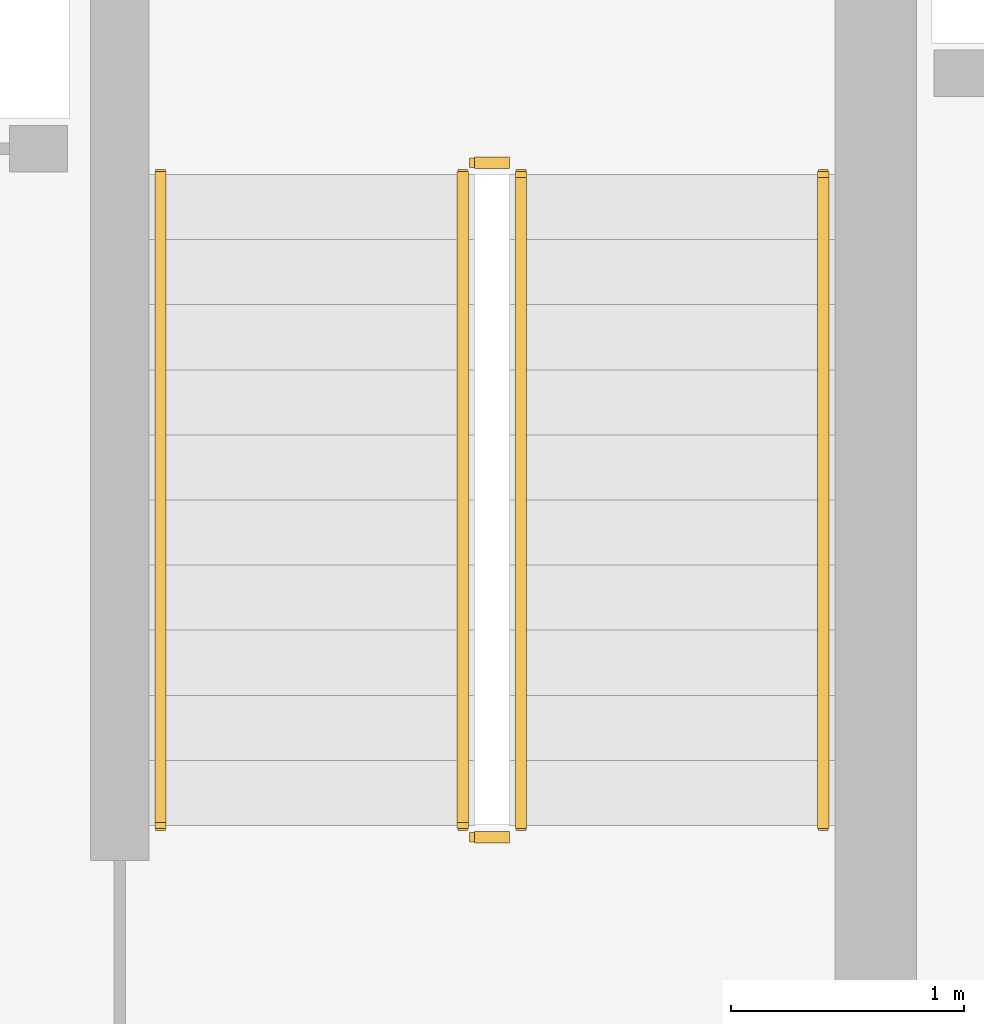
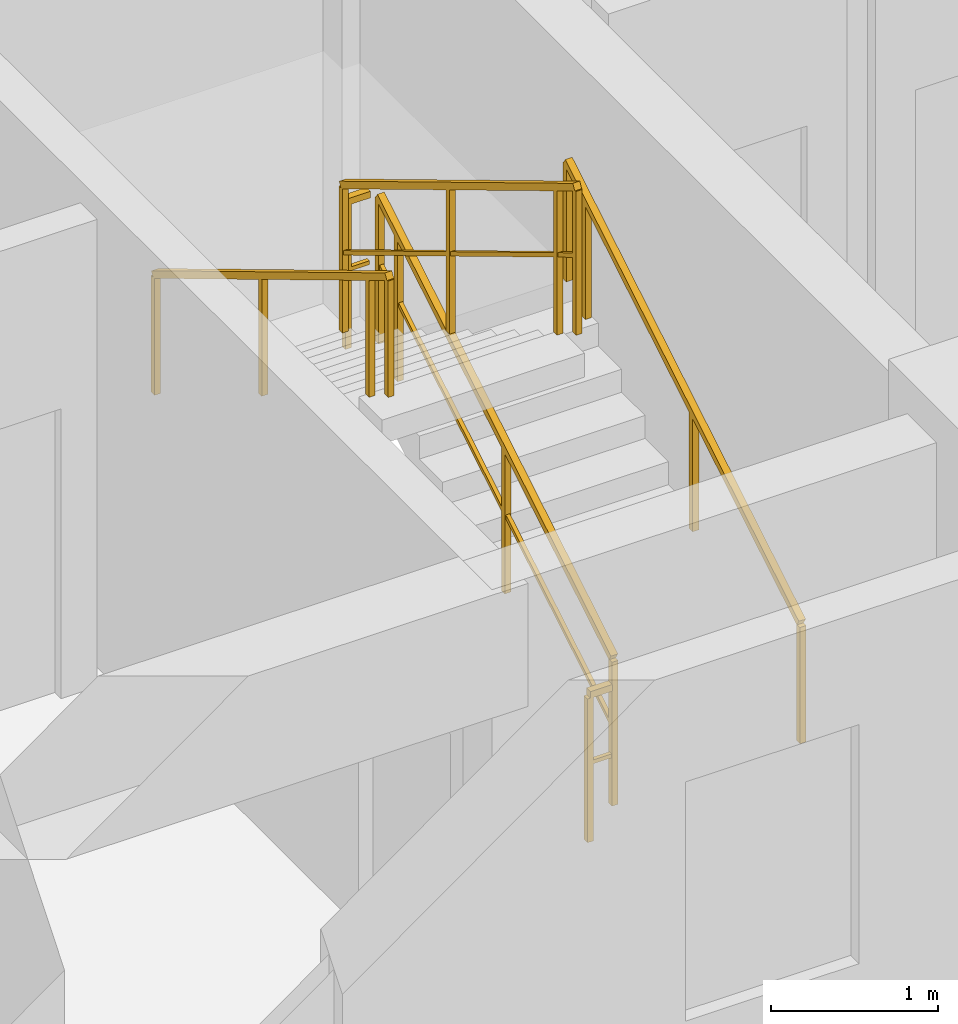
# One storey, part 23 of 24: 6 railings.
"""IFC4 building model written with IfcOpenShell, lengths in metres."""

from ifc_helpers import new_model, si_unit, direction, frame, origin, origin_2d, place, context, subcontext, project, spatial, rectangle, extrude, material, type_object, element, save


model = new_model("IFC4")

# Units and contexts
model_context = context("Model", 3, precision=1e-05, world=origin(), true_north=direction((0.0, 1.0)))
body_context = subcontext(model_context, "Body", "Model", "MODEL_VIEW")
ifc_project = project(units=[si_unit("LENGTHUNIT", "METRE"), si_unit("AREAUNIT", "SQUARE_METRE"), si_unit("VOLUMEUNIT", "CUBIC_METRE"), si_unit("PLANEANGLEUNIT", "RADIAN"), si_unit("MASSUNIT", "GRAM", prefix="KILO")], contexts=[model_context])

# Site, building, storey
site_placement = place(None, origin())
site = spatial("IfcSite", under=ifc_project, at=site_placement, CompositionType="ELEMENT")
building_placement = place(site_placement, origin())
building = spatial("IfcBuilding", under=site, at=building_placement, Name="Kaliganga Portal Commons", CompositionType="ELEMENT")
storey_placement = place(building_placement, frame((0.0, 0.0, 238.800048828125)))
storey = spatial("IfcBuildingStorey", under=building, at=storey_placement, Name="L61", CompositionType="ELEMENT", Elevation=238.800048828125)

# Railings
ifc_material_1 = material(Name="Galvanized Painted Steel Balustrade", Category="steel")
railing_type_1 = type_object("IfcRailingType", Name="RLG-STAIR-GRD", PredefinedType="GUARDRAIL", material=ifc_material_1)
railing_1_placement = place(storey_placement, frame((48.699951171875, 8.699951171875, 0.168212890625)))
element("IfcRailing", 1, at=railing_1_placement, inside=storey, type_object=railing_type_1, Name="L61 ST-B2 stair guard 1", PredefinedType="GUARDRAIL", context=body_context, shape_type="SweptSolid", body=[
    extrude(rectangle(XDim=0.048095703125, YDim=0.048095703125, at=origin_2d()), frame((0.0, 0.0, 1.072021484375), z_axis=(0.0, 0.857275202839, 0.514858452973), x_axis=(-1.0, 0.0, 0.0)), (0.0, 0.0, 1.0), 3.26611328125),
    extrude(rectangle(XDim=0.028076171875, YDim=0.028076171875, at=origin_2d()), frame((0.0, 0.0, 0.572021484375), z_axis=(0.0, 0.857275202839, 0.514858452973), x_axis=(-1.0, 0.0, 0.0)), (0.0, 0.0, 1.0), 3.26611328125),
    extrude(rectangle(XDim=0.0419921875, YDim=0.0419921875, at=origin_2d()), origin(), (0.0, 0.0, 1.0), 1.052001953125),
    extrude(rectangle(XDim=0.0419921875, YDim=0.0419921875, at=origin_2d()), frame((0.0, 1.285888671875, 0.772216796875)), (0.0, 0.0, 1.0), 1.052001953125),
    extrude(rectangle(XDim=0.0419921875, YDim=0.0419921875, at=origin_2d()), frame((0.0, 2.57177734375, 1.544677734375)), (0.0, 0.0, 1.0), 1.052001953125),
    extrude(rectangle(XDim=0.0419921875, YDim=0.0419921875, at=origin_2d()), frame((0.0, 2.800048828125, 1.681640625)), (0.0, 0.0, 1.0), 1.052001953125),
])
railing_2_placement = place(storey_placement, frame((48.64990234375, 11.550048828125, 1.849853515625)))
element("IfcRailing", 2, at=railing_2_placement, inside=storey, type_object=railing_type_1, Name="L61 ST-B2 stair guard 2", PredefinedType="GUARDRAIL", context=body_context, shape_type="SweptSolid", body=[
    extrude(rectangle(XDim=0.048095703125, YDim=0.048095703125, at=origin_2d()), frame((0.0, 0.0, 1.076171875), z_axis=(-1.0, 0.0, 0.0), x_axis=(0.0, -1.0, 0.0)), (0.0, 0.0, 1.0), 0.14990234375),
    extrude(rectangle(XDim=0.028076171875, YDim=0.028076171875, at=origin_2d()), frame((0.0, 0.0, 0.572021484375), z_axis=(-1.0, 0.0, 0.0), x_axis=(0.0, -1.0, 0.0)), (0.0, 0.0, 1.0), 0.14990234375),
    extrude(rectangle(XDim=0.0419921875, YDim=0.0419921875, at=origin_2d()), frame((-0.14990234375, 0.0, 0.0)), (0.0, 0.0, 1.0), 1.052001953125),
])
railing_3_placement = place(storey_placement, frame((48.449951171875, 11.5, 2.01806640625)))
element("IfcRailing", 3, at=railing_3_placement, inside=storey, type_object=railing_type_1, Name="L61 ST-B2 stair guard 3", PredefinedType="GUARDRAIL", context=body_context, shape_type="SweptSolid", body=[
    extrude(rectangle(XDim=0.048095703125, YDim=0.048095703125, at=origin_2d()), frame((0.0, 0.0, 1.072021484375), z_axis=(0.0, -0.857242210791, 0.514913383045), x_axis=(1.0, 0.0, 0.0)), (0.0, 0.0, 1.0), 3.266357421875),
    extrude(rectangle(XDim=0.028076171875, YDim=0.028076171875, at=origin_2d()), frame((0.0, 0.0, 0.572021484375), z_axis=(0.0, -0.857242210791, 0.514913383045), x_axis=(1.0, 0.0, 0.0)), (0.0, 0.0, 1.0), 3.266357421875),
    extrude(rectangle(XDim=0.0419921875, YDim=0.0419921875, at=origin_2d()), origin(), (0.0, 0.0, 1.0), 1.052001953125),
    extrude(rectangle(XDim=0.0419921875, YDim=0.0419921875, at=origin_2d()), frame((0.0, -1.285888671875, 0.7724609375)), (0.0, 0.0, 1.0), 1.052001953125),
    extrude(rectangle(XDim=0.0419921875, YDim=0.0419921875, at=origin_2d()), frame((0.0, -2.57177734375, 1.544677734375)), (0.0, 0.0, 1.0), 1.052001953125),
    extrude(rectangle(XDim=0.0419921875, YDim=0.0419921875, at=origin_2d()), frame((0.0, -2.800048828125, 1.681884765625)), (0.0, 0.0, 1.0), 1.052001953125),
])
railing_4_placement = place(storey_placement, frame((48.64990234375, 8.64990234375, 0.0)))
element("IfcRailing", 4, at=railing_4_placement, inside=storey, type_object=railing_type_1, Name="L61 ST-B2 stair guard 4", PredefinedType="GUARDRAIL", context=body_context, shape_type="SweptSolid", body=[
    extrude(rectangle(XDim=0.048095703125, YDim=0.048095703125, at=origin_2d()), frame((0.0, 0.0, 1.076171875), z_axis=(-1.0, 0.0, 0.0), x_axis=(0.0, -1.0, 0.0)), (0.0, 0.0, 1.0), 0.14990234375),
    extrude(rectangle(XDim=0.028076171875, YDim=0.028076171875, at=origin_2d()), frame((0.0, 0.0, 0.572021484375), z_axis=(-1.0, 0.0, 0.0), x_axis=(0.0, -1.0, 0.0)), (0.0, 0.0, 1.0), 0.14990234375),
    extrude(rectangle(XDim=0.0419921875, YDim=0.0419921875, at=origin_2d()), frame((-0.14990234375, 0.0, 0.0)), (0.0, 0.0, 1.0), 1.052001953125),
])
ifc_material_2 = material(Name="Brushed Stainless Steel 316", Category="steel")
railing_type_2 = type_object("IfcRailingType", Name="RLG-STAIR-HR", PredefinedType="HANDRAIL", material=ifc_material_2)
railing_5_placement = place(storey_placement, frame((50.0, 8.699951171875, 0.168212890625)))
element("IfcRailing", 5, at=railing_5_placement, inside=storey, type_object=railing_type_2, Name="L61 ST-B2 stair handrail 1", PredefinedType="HANDRAIL", context=body_context, shape_type="SweptSolid", body=[
    extrude(rectangle(XDim=0.048095703125, YDim=0.048095703125, at=origin_2d()), frame((0.0, 0.0, 0.871826171875), z_axis=(0.0, 0.857275202839, 0.514858452973), x_axis=(-1.0, 0.0, 0.0)), (0.0, 0.0, 1.0), 3.26611328125),
    extrude(rectangle(XDim=0.0419921875, YDim=0.0419921875, at=origin_2d()), origin(), (0.0, 0.0, 1.0), 0.851806640625),
    extrude(rectangle(XDim=0.0419921875, YDim=0.0419921875, at=origin_2d()), frame((0.0, 1.285888671875, 0.772216796875)), (0.0, 0.0, 1.0), 0.851806640625),
    extrude(rectangle(XDim=0.0419921875, YDim=0.0419921875, at=origin_2d()), frame((0.0, 2.57177734375, 1.544677734375)), (0.0, 0.0, 1.0), 0.851806640625),
    extrude(rectangle(XDim=0.0419921875, YDim=0.0419921875, at=origin_2d()), frame((0.0, 2.800048828125, 1.681640625)), (0.0, 0.0, 1.0), 0.851806640625),
])
railing_6_placement = place(storey_placement, frame((47.14990234375, 11.5, 2.01806640625)))
element("IfcRailing", 6, at=railing_6_placement, inside=storey, type_object=railing_type_2, Name="L61 ST-B2 stair handrail 2", PredefinedType="HANDRAIL", context=body_context, shape_type="SweptSolid", body=[
    extrude(rectangle(XDim=0.048095703125, YDim=0.048095703125, at=origin_2d()), frame((0.0, 0.0, 0.871826171875), z_axis=(0.0, -0.857242210791, 0.514913383045), x_axis=(1.0, 0.0, 0.0)), (0.0, 0.0, 1.0), 3.266357421875),
    extrude(rectangle(XDim=0.0419921875, YDim=0.0419921875, at=origin_2d()), origin(), (0.0, 0.0, 1.0), 0.851806640625),
    extrude(rectangle(XDim=0.0419921875, YDim=0.0419921875, at=origin_2d()), frame((0.0, -1.285888671875, 0.7724609375)), (0.0, 0.0, 1.0), 0.851806640625),
    extrude(rectangle(XDim=0.0419921875, YDim=0.0419921875, at=origin_2d()), frame((0.0, -2.57177734375, 1.544677734375)), (0.0, 0.0, 1.0), 0.851806640625),
    extrude(rectangle(XDim=0.0419921875, YDim=0.0419921875, at=origin_2d()), frame((0.0, -2.800048828125, 1.681884765625)), (0.0, 0.0, 1.0), 0.851806640625),
])

save(model, "model.ifc")
